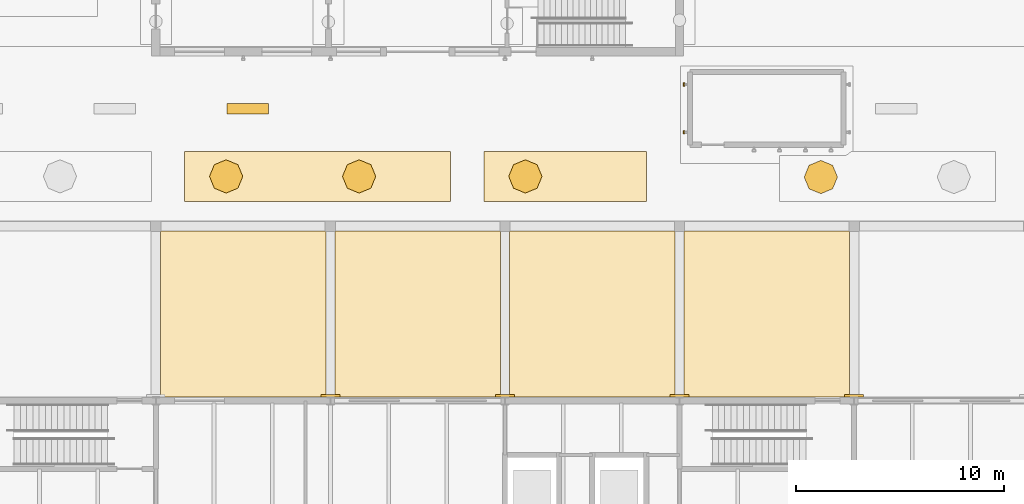
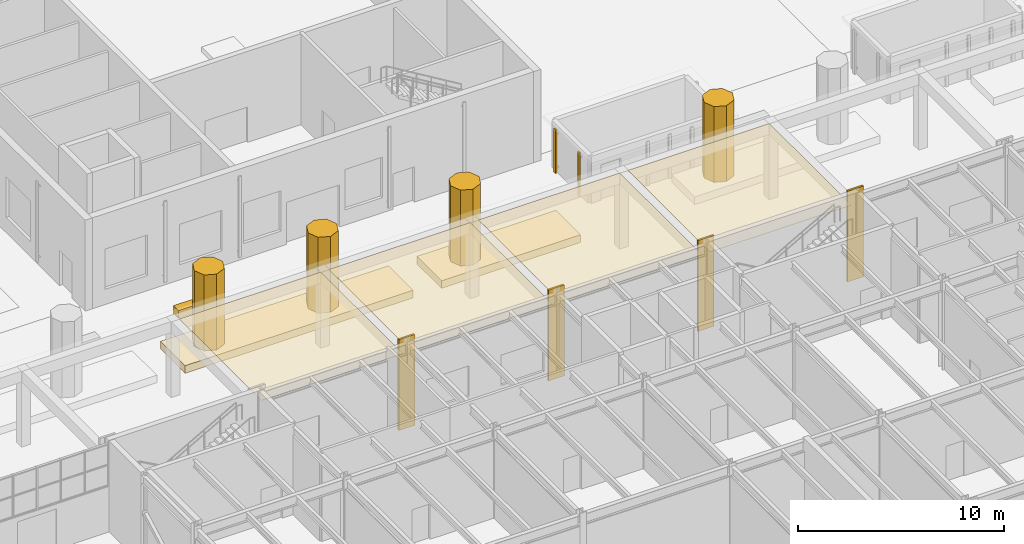
# One storey, part 120 of 127: 15 coverings, 2 shading devices.
"""IFC4 building model written with IfcOpenShell, lengths in metres."""

from ifc_helpers import new_model, si_unit, direction, frame, origin, origin_2d, place, context, subcontext, project, spatial, polyline, rectangle, outline, extrude, material, layer, layer_set, type_object, element, save


model = new_model("IFC4")

# Units and contexts
model_context = context("Model", 3, precision=1e-05, world=origin(), true_north=direction((0.0, 1.0)))
body_context = subcontext(model_context, "Body", "Model", "MODEL_VIEW")
ifc_project = project(units=[si_unit("LENGTHUNIT", "METRE"), si_unit("AREAUNIT", "SQUARE_METRE"), si_unit("VOLUMEUNIT", "CUBIC_METRE"), si_unit("PLANEANGLEUNIT", "RADIAN"), si_unit("MASSUNIT", "GRAM", prefix="KILO")], contexts=[model_context])

# Site, building, storey
site_placement = place(None, origin())
site = spatial("IfcSite", under=ifc_project, at=site_placement, CompositionType="ELEMENT")
building_placement = place(site_placement, origin())
building = spatial("IfcBuilding", under=site, at=building_placement, Name="Ljudholm Concert House", CompositionType="ELEMENT")
storey_placement = place(building_placement, origin())
storey = spatial("IfcBuildingStorey", under=building, at=storey_placement, Name="L00", CompositionType="ELEMENT", Elevation=0.0)

# Coverings
ifc_material_1 = material(Name="Aluminium soffit panels, timber-grain PVDF finish", Category="aluminium")
ifc_layer_1 = layer(ifc_material_1, 0.02001953125)
ifc_layer_set_1 = layer_set([ifc_layer_1], Name="Aluminium soffit panels, timber-grain PVDF finish")
covering_type_1 = type_object("IfcCoveringType", Name="ALUMINIUM SOFFIT PANELS, TIMBER-GRAIN PVDF FINISH CEILING 20", PredefinedType="CEILING", material=ifc_layer_set_1)
covering_1_placement = place(storey_placement, frame((0.0, 0.0, 4.47998046875)))
element("IfcCovering", 1, at=covering_1_placement, inside=storey, type_object=covering_type_1, Name="Arcade soffit", PredefinedType="CEILING", context=body_context, shape_type="SweptSolid", body=[
    extrude(outline(polyline([(63.02490234375, 130.186767578125), (70.97509765625, 130.186767578125), (70.97509765625, 138.175048828125), (63.02490234375, 138.175048828125), (63.02490234375, 130.186767578125)])), origin(), (0.0, 0.0, 1.0), 0.02001953125),
])
covering_2_placement = place(storey_placement, frame((0.0, 0.0, 4.47998046875)))
element("IfcCovering", 2, at=covering_2_placement, inside=storey, type_object=covering_type_1, Name="Arcade soffit", PredefinedType="CEILING", context=body_context, shape_type="SweptSolid", body=[
    extrude(outline(polyline([(71.425048828125, 130.186767578125), (79.375, 130.186767578125), (79.375, 138.175048828125), (71.425048828125, 138.175048828125), (71.425048828125, 130.186767578125)])), origin(), (0.0, 0.0, 1.0), 0.02001953125),
])
covering_3_placement = place(storey_placement, frame((0.0, 0.0, 4.47998046875)))
element("IfcCovering", 3, at=covering_3_placement, inside=storey, type_object=covering_type_1, Name="Arcade soffit", PredefinedType="CEILING", context=body_context, shape_type="SweptSolid", body=[
    extrude(outline(polyline([(79.824951171875, 130.186767578125), (87.77490234375, 130.186767578125), (87.77490234375, 138.175048828125), (79.824951171875, 138.175048828125), (79.824951171875, 130.186767578125)])), origin(), (0.0, 0.0, 1.0), 0.02001953125),
])
covering_4_placement = place(storey_placement, frame((0.0, 0.0, 4.47998046875)))
element("IfcCovering", 4, at=covering_4_placement, inside=storey, type_object=covering_type_1, Name="Arcade soffit", PredefinedType="CEILING", context=body_context, shape_type="SweptSolid", body=[
    extrude(outline(polyline([(88.22509765625, 130.186767578125), (96.175048828125, 130.186767578125), (96.175048828125, 138.175048828125), (88.22509765625, 138.175048828125), (88.22509765625, 130.186767578125)])), origin(), (0.0, 0.0, 1.0), 0.02001953125),
])

# Shading devices
ifc_material_2 = material(Name="Aluminium extrusion with timber-grain PVDF finish", Category="aluminium")
shading_device_type = type_object("IfcShadingDeviceType", Name="FACADE FIN 80x160", PredefinedType="SHUTTER", material=ifc_material_2)
for number, where, z_axis, x_axis, name in (
    (5, (88.215087890625, 142.925048828125, 0.099853515625), (0.0, 0.0, 1.0), (-1.0, 0.0, 0.0), "Facade fin"),
    (6, (88.215087890625, 145.22509765625, 0.099853515625), (0.0, 0.0, 1.0), (-1.0, 0.0, 0.0), "Facade fin"),
):
    element("IfcShadingDevice", number, at=place(storey_placement, frame(where, z_axis=z_axis, x_axis=x_axis)), inside=storey, type_object=shading_device_type, Name=name, PredefinedType="SHUTTER", context=body_context, shape_type="SweptSolid", body=[
        extrude(rectangle(XDim=0.080078125, YDim=0.159912109375, at=origin_2d()), origin(), (0.0, 0.0, 1.0), 2.60009765625),
    ])

# Coverings
ifc_material_3 = material(Name="Planting soil and ground cover")
ifc_layer_2 = layer(ifc_material_3, 0.449951171875)
ifc_layer_set_2 = layer_set([ifc_layer_2], Name="Planting soil and ground cover")
covering_type_2 = type_object("IfcCoveringType", Name="PLANTING SOIL AND GROUND COVER FLOOR FINISH 450", PredefinedType="FLOORING", material=ifc_layer_set_2)
covering_5_placement = place(storey_placement, origin())
element("IfcCovering", 7, at=covering_5_placement, inside=storey, type_object=covering_type_2, Name="Planting bed", PredefinedType="FLOORING", context=body_context, shape_type="SweptSolid", body=[
    extrude(outline(polyline([(76.9794921875, 142.0), (76.9794921875, 139.60009765625), (64.1796875, 139.60009765625), (64.1796875, 142.0), (76.9794921875, 142.0)])), origin(), (0.0, 0.0, 1.0), 0.449951171875),
])
covering_6_placement = place(storey_placement, origin())
element("IfcCovering", 8, at=covering_6_placement, inside=storey, type_object=covering_type_2, Name="Planting bed", PredefinedType="FLOORING", context=body_context, shape_type="SweptSolid", body=[
    extrude(outline(polyline([(86.39990234375, 142.0), (86.39990234375, 139.60009765625), (78.57958984375, 139.60009765625), (78.57958984375, 142.0), (86.39990234375, 142.0)])), origin(), (0.0, 0.0, 1.0), 0.449951171875),
])
ifc_material_4 = material(Name="Precast concrete, limestone aggregate", Category="masonry")
ifc_layer_3 = layer(ifc_material_4, 0.110107421875)
ifc_layer_set_3 = layer_set([ifc_layer_3], Name="Precast concrete, limestone aggregate")
covering_type_3 = type_object("IfcCoveringType", Name="PRECAST CONCRETE, LIMESTONE AGGREGATE CLADDING 110", PredefinedType="CLADDING", material=ifc_layer_set_3)
for number, where, z_axis, x_axis, name in (
    (9, (71.199951171875, 130.2451171875, 0.0), (0.0, 0.0, 1.0), (0.0, 1.0, 0.0), "Pilaster cladding"),
    (10, (79.60009765625, 130.2451171875, 0.0), (0.0, 0.0, 1.0), (0.0, 1.0, 0.0), "Pilaster cladding"),
    (11, (88.0, 130.2451171875, 0.0), (0.0, 0.0, 1.0), (0.0, 1.0, 0.0), "Pilaster cladding"),
    (12, (96.39990234375, 130.2451171875, 0.0), (0.0, 0.0, 1.0), (0.0, 1.0, 0.0), "Pilaster cladding"),
):
    element("IfcCovering", number, at=place(storey_placement, frame(where, z_axis=z_axis, x_axis=x_axis)), inside=storey, type_object=covering_type_3, Name=name, PredefinedType="CLADDING", context=body_context, shape_type="SweptSolid", body=[
        extrude(rectangle(XDim=0.110107421875, YDim=0.89990234375, at=origin_2d()), origin(), (0.0, 0.0, 1.0), 5.39990234375),
    ])
ifc_material_5 = material(Name="Timber-grain hardwood decking on concrete plinth", Category="concrete")
ifc_layer_4 = layer(ifc_material_5, 0.449951171875)
ifc_layer_set_4 = layer_set([ifc_layer_4], Name="Timber-grain hardwood decking on concrete plinth")
covering_type_4 = type_object("IfcCoveringType", Name="TIMBER-GRAIN HARDWOOD DECKING ON CONCRETE PLINTH FLOOR FINISH 450", PredefinedType="FLOORING", material=ifc_layer_set_4)
covering_7_placement = place(storey_placement, origin())
element("IfcCovering", 13, at=covering_7_placement, inside=storey, type_object=covering_type_4, Name="Timber seating platform", PredefinedType="FLOORING", context=body_context, shape_type="SweptSolid", body=[
    extrude(outline(polyline([(66.219970703125, 143.800048828125), (68.219970703125, 143.800048828125), (68.219970703125, 144.300048828125), (66.219970703125, 144.300048828125), (66.219970703125, 143.800048828125)])), origin(), (0.0, 0.0, 1.0), 0.449951171875),
])
ifc_material_6 = material(Name="Tree planting")
covering_type_5 = type_object("IfcCoveringType", Name="TREE TRUNK AND CROWN 1600", PredefinedType="USERDEFINED", material=ifc_material_6)
covering_8_placement = place(storey_placement, frame((0.0, 0.0, 0.449951171875)))
element("IfcCovering", 14, at=covering_8_placement, inside=storey, type_object=covering_type_5, Name="Tree", ObjectType="TREE", PredefinedType="USERDEFINED", context=body_context, shape_type="SweptSolid", body=[
    extrude(outline(polyline([(66.9794921875, 140.800048828125), (66.745361328125, 141.36572265625), (66.1796875, 141.60009765625), (65.614013671875, 141.36572265625), (65.379638671875, 140.800048828125), (65.614013671875, 140.234375), (66.1796875, 140.0), (66.745361328125, 140.234375), (66.9794921875, 140.800048828125)])), origin(), (0.0, 0.0, 1.0), 4.5),
])
covering_9_placement = place(storey_placement, frame((0.0, 0.0, 0.449951171875)))
element("IfcCovering", 15, at=covering_9_placement, inside=storey, type_object=covering_type_5, Name="Tree", ObjectType="TREE", PredefinedType="USERDEFINED", context=body_context, shape_type="SweptSolid", body=[
    extrude(outline(polyline([(73.379638671875, 140.800048828125), (73.145263671875, 141.36572265625), (72.57958984375, 141.60009765625), (72.013916015625, 141.36572265625), (71.779541015625, 140.800048828125), (72.013916015625, 140.234375), (72.57958984375, 140.0), (73.145263671875, 140.234375), (73.379638671875, 140.800048828125)])), origin(), (0.0, 0.0, 1.0), 4.5),
])
covering_10_placement = place(storey_placement, frame((0.0, 0.0, 0.449951171875)))
element("IfcCovering", 16, at=covering_10_placement, inside=storey, type_object=covering_type_5, Name="Tree", ObjectType="TREE", PredefinedType="USERDEFINED", context=body_context, shape_type="SweptSolid", body=[
    extrude(outline(polyline([(81.379638671875, 140.800048828125), (81.145263671875, 141.36572265625), (80.57958984375, 141.60009765625), (80.013916015625, 141.36572265625), (79.779541015625, 140.800048828125), (80.013916015625, 140.234375), (80.57958984375, 140.0), (81.145263671875, 140.234375), (81.379638671875, 140.800048828125)])), origin(), (0.0, 0.0, 1.0), 4.5),
])
covering_11_placement = place(storey_placement, frame((0.0, 0.0, 0.449951171875)))
element("IfcCovering", 17, at=covering_11_placement, inside=storey, type_object=covering_type_5, Name="Tree", ObjectType="TREE", PredefinedType="USERDEFINED", context=body_context, shape_type="SweptSolid", body=[
    extrude(outline(polyline([(95.60009765625, 140.769775390625), (95.36572265625, 141.33544921875), (94.800048828125, 141.56982421875), (94.234375, 141.33544921875), (94.0, 140.769775390625), (94.234375, 140.2041015625), (94.800048828125, 139.969970703125), (95.36572265625, 140.2041015625), (95.60009765625, 140.769775390625)])), origin(), (0.0, 0.0, 1.0), 4.5),
])

save(model, "model.ifc")
